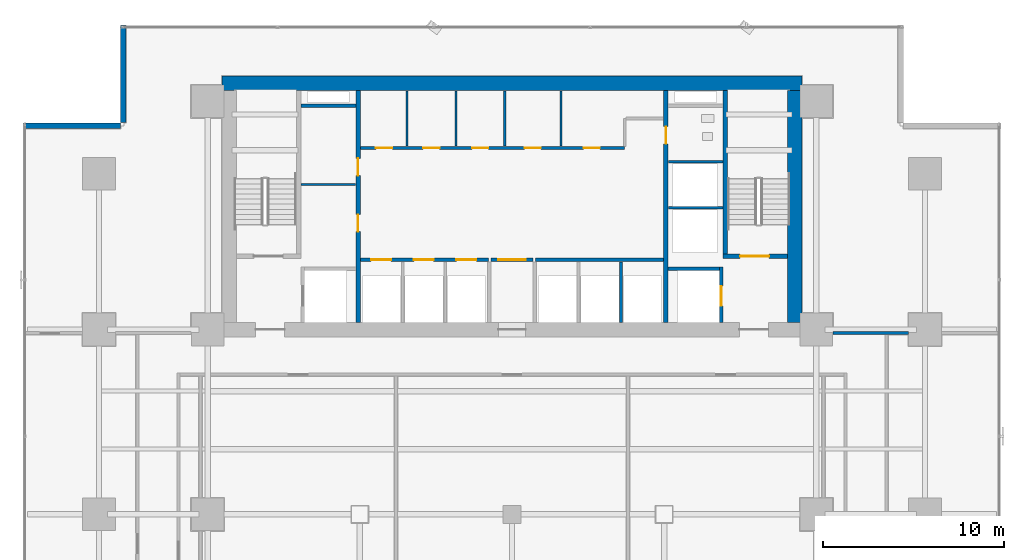
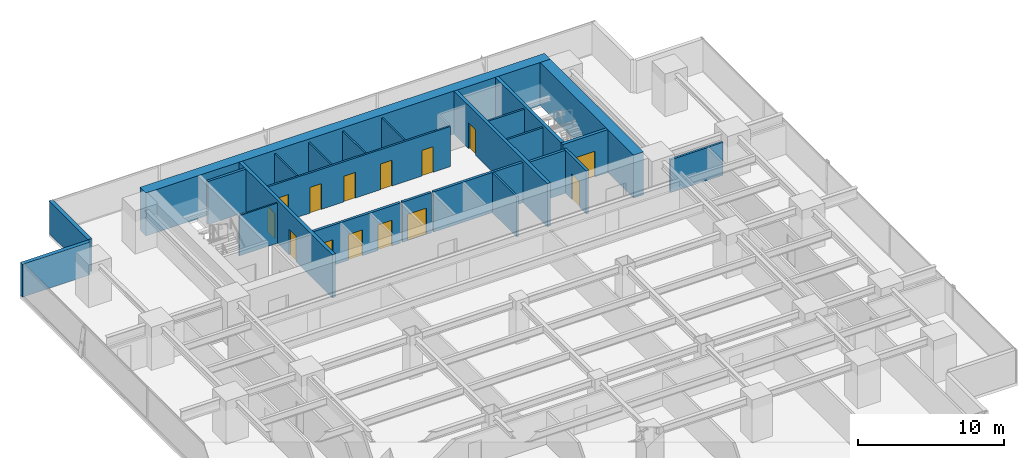
# One storey, part 26 of 33: 24 walls, 14 doors, 14 openings.
"""IFC4 building model written with IfcOpenShell, lengths in metres."""

import ifcopenshell
import ifcopenshell.guid

model = None  # the IFC model being written
_history = None  # IfcOwnerHistory: only IFC2X3 demands one
_inside = {}  # id of a spatial element -> (the spatial element, [elements in it])
_under = {}  # id of a project, library or spatial element -> (it, [spatial elements below it])
_declared = {}  # id of a project -> (the project, [libraries it declares])
_typed = {}  # id of a type object -> (the type object, [elements of that type])
_made_of = {}  # id of a material, layer set ... -> (it, [elements and type objects made of it])


def new_model(schema):
    """Start an empty IFC model of exactly this schema.

    Asked for "IFC4X3", IfcOpenShell would pick the latest addendum, in which some entities
    have other attributes; the version numbers below select the first issue.
    IFC2X3 requires an IfcOwnerHistory on every rooted entity: one is made here for all.
    """
    global model, _history
    if schema == "IFC4X3":
        model = ifcopenshell.file(schema_version=(4, 3, 0, 0))
    else:
        model = ifcopenshell.file(schema=schema)
    _inside.clear()
    _under.clear()
    _declared.clear()
    _typed.clear()
    _made_of.clear()
    _history = None
    if model.schema == "IFC2X3":
        org = make("IfcOrganization", Name="unknown")
        user = make(
            "IfcPersonAndOrganization",
            ThePerson=make("IfcPerson", FamilyName="unknown"),
            TheOrganization=org,
        )
        app = make(
            "IfcApplication",
            ApplicationDeveloper=org,
            Version="unknown",
            ApplicationFullName="unknown",
            ApplicationIdentifier="unknown",
        )
        _history = make(
            "IfcOwnerHistory",
            OwningUser=user,
            OwningApplication=app,
            ChangeAction="ADDED",
            CreationDate=0,
        )
    return model


def make(cls, **values):
    """One entity of the class cls with the attributes given. An attribute that is None is left unset."""
    return model.create_entity(
        cls, **{name: value for name, value in values.items() if value is not None}
    )


def rooted(cls, **values):
    """An entity with a GlobalId (a new one), such as an element, a storey or a relation."""
    return make(cls, GlobalId=ifcopenshell.guid.new(), OwnerHistory=_history, **values)


def si_unit(unit_type, name, prefix=None):
    """IfcSIUnit, for example si_unit("LENGTHUNIT", "METRE", prefix="MILLI")."""
    return make("IfcSIUnit", UnitType=unit_type, Prefix=prefix, Name=name)


def assignment(units):
    """IfcUnitAssignment: the units of a project."""
    return None if units is None else make("IfcUnitAssignment", Units=units)


def point(xyz):
    """IfcCartesianPoint."""
    return None if xyz is None else make("IfcCartesianPoint", Coordinates=xyz)


def direction(xyz):
    """IfcDirection."""
    return None if xyz is None else make("IfcDirection", DirectionRatios=xyz)


def frame(location, z_axis=None, x_axis=None):
    """IfcAxis2Placement3D, a coordinate frame: its origin and axes. An axis left out is left unset."""
    return make(
        "IfcAxis2Placement3D",
        Location=point(location),
        Axis=direction(z_axis),
        RefDirection=direction(x_axis),
    )


def frame_2d(location, x_axis=None):
    """IfcAxis2Placement2D, a coordinate frame in the plane: its origin and x axis."""
    return make(
        "IfcAxis2Placement2D", Location=point(location), RefDirection=direction(x_axis)
    )


def origin():
    """The frame at (0, 0, 0) with its axes left unset."""
    return frame((0.0, 0.0, 0.0))


def place(relative_to, where):
    """IfcLocalPlacement: puts the frame where relative to a parent placement (None: the world)."""
    return make(
        "IfcLocalPlacement", PlacementRelTo=relative_to, RelativePlacement=where
    )


def context(
    kind, dimensions, precision=None, world=None, true_north=None, identifier=None
):
    """IfcGeometricRepresentationContext, for example the 3D "Model" context."""
    return make(
        "IfcGeometricRepresentationContext",
        ContextIdentifier=identifier,
        ContextType=kind,
        CoordinateSpaceDimension=dimensions,
        Precision=precision,
        WorldCoordinateSystem=world,
        TrueNorth=true_north,
    )


def subcontext(parent, identifier, kind, view, scale=None):
    """IfcGeometricRepresentationSubContext, for example "Body" below "Model"."""
    return make(
        "IfcGeometricRepresentationSubContext",
        ContextIdentifier=identifier,
        ContextType=kind,
        ParentContext=parent,
        TargetScale=scale,
        TargetView=view,
    )


def project(units=None, contexts=None):
    """IfcProject with its units and contexts."""
    return rooted(
        "IfcProject",
        Name="project",
        RepresentationContexts=contexts,
        UnitsInContext=assignment(units),
    )


def spatial(cls, under=None, at=None, **own):
    """A site, building, storey or space (cls), placed at a placement, below another one or the project."""
    s = rooted(cls, ObjectPlacement=at, **own)
    if under is not None:
        _under.setdefault(under.id(), (under, []))[1].append(s)
    return s


def profile(cls, at=None, kind="AREA", **sizes):
    """A parametric profile (cls). Its sizes go by their IFC names, for example OverallWidth=200.0."""
    return make(cls, ProfileType=kind, Position=at, **sizes)


def rectangle(**sizes):
    """IfcRectangleProfileDef."""
    return profile("IfcRectangleProfileDef", **sizes)


def extrude(swept, where, along, depth):
    """IfcExtrudedAreaSolid: the profile swept, set in the frame where, extruded along a direction by depth."""
    return make(
        "IfcExtrudedAreaSolid",
        SweptArea=swept,
        Position=where,
        ExtrudedDirection=direction(along),
        Depth=depth,
    )


def shape(context_of_items, identifier, shape_type, items):
    """IfcShapeRepresentation: the items that make up one representation, for example the "Body"."""
    return make(
        "IfcShapeRepresentation",
        ContextOfItems=context_of_items,
        RepresentationIdentifier=identifier,
        RepresentationType=shape_type,
        Items=items,
    )


def source(mapping_origin, context_of_items, identifier, shape_type, items):
    """IfcRepresentationMap: a shape defined once, which mapped items show again and again."""
    return make(
        "IfcRepresentationMap",
        MappingOrigin=mapping_origin,
        MappedRepresentation=shape(context_of_items, identifier, shape_type, items),
    )


def transform(
    local_origin,
    x_axis=None,
    y_axis=None,
    z_axis=None,
    scale=None,
    scale2=None,
    scale3=None,
    uniform=True,
):
    """IfcCartesianTransformationOperator3D, or its non-uniform kind. x_axis, y_axis, z_axis: its Axis1, 2, 3."""
    if uniform:
        return make(
            "IfcCartesianTransformationOperator3D",
            Axis1=direction(x_axis),
            Axis2=direction(y_axis),
            LocalOrigin=point(local_origin),
            Scale=scale,
            Axis3=direction(z_axis),
        )
    return make(
        "IfcCartesianTransformationOperator3DnonUniform",
        Axis1=direction(x_axis),
        Axis2=direction(y_axis),
        LocalOrigin=point(local_origin),
        Scale=scale,
        Axis3=direction(z_axis),
        Scale2=scale2,
        Scale3=scale3,
    )


def mapped(mapping_source, mapping_target):
    """IfcMappedItem: shows the shape of a source again, moved by a transform."""
    return make(
        "IfcMappedItem", MappingSource=mapping_source, MappingTarget=mapping_target
    )


def material(Name=None, Category=None):
    """IfcMaterial."""
    return make("IfcMaterial", Name=Name, Category=Category)


def layer(
    of_material, thickness, ventilated=None, Name=None, Category=None, Priority=None
):
    """IfcMaterialLayer: one layer of a wall or slab, of a material (None: an air gap)."""
    return make(
        "IfcMaterialLayer",
        Material=of_material,
        LayerThickness=thickness,
        IsVentilated=ventilated,
        Name=Name,
        Category=Category,
        Priority=Priority,
    )


def layer_set(layers, Name=None):
    """IfcMaterialLayerSet."""
    return make("IfcMaterialLayerSet", MaterialLayers=layers, LayerSetName=Name)


def made_of(thing, what):
    """Note that an element or type object is made of a material, layer set ...; save() writes the relation."""
    if what is not None:
        _made_of.setdefault(what.id(), (what, []))[1].append(thing)
    return thing


def type_object(cls, material=None, **own):
    """A type object (cls), such as IfcWallType, which elements share."""
    return made_of(rooted(cls, **own), material)


def element(
    cls,
    number,
    at=None,
    inside=None,
    cuts=None,
    type_object=None,
    material=None,
    context=None,
    identifier="Body",
    shape_type=None,
    held_by="IfcProductDefinitionShape",
    body=None,
    shapes=None,
    **own,
):
    """One element of the class cls, such as IfcWall. Its Tag is "e" and its number.

    at: its placement. inside: the storey or other place that contains it. cuts: it is an
    opening in that element (IfcRelVoidsElement). A single representation is given by context,
    identifier, shape_type and body (its items); several are given by shapes. held_by: the class
    of the entity that holds the representations. save() writes the other relations.
    """
    e = rooted(cls, Tag="e%d" % number, ObjectPlacement=at, **own)
    if body is not None:
        shapes = [shape(context, identifier, shape_type, body)]
    if shapes is not None:
        e.Representation = make(held_by, Representations=shapes)
    if inside is not None:
        _inside.setdefault(inside.id(), (inside, []))[1].append(e)
    if cuts is not None:
        rooted(
            "IfcRelVoidsElement", RelatingBuildingElement=cuts, RelatedOpeningElement=e
        )
    if type_object is not None:
        _typed.setdefault(type_object.id(), (type_object, []))[1].append(e)
    return made_of(e, material)


def fill(opening, filler):
    """IfcRelFillsElement: the door or window that sits in an opening."""
    return rooted(
        "IfcRelFillsElement",
        RelatingOpeningElement=opening,
        RelatedBuildingElement=filler,
    )


def aggregate(whole, parts):
    """IfcRelAggregates: a whole, such as a stair, and the parts it consists of."""
    return rooted("IfcRelAggregates", RelatingObject=whole, RelatedObjects=parts)


def save(model, path):
    """Write the relations noted so far, then the file.

    IfcRelAggregates (storeys below a building ...), IfcRelContainedInSpatialStructure (elements
    in a storey), IfcRelDefinesByType, IfcRelAssociatesMaterial and IfcRelDeclares: one each for
    every whole, place, type object, material and project.
    """
    for whole, parts in _under.values():
        aggregate(whole, parts)
    for where, things in _inside.values():
        rooted(
            "IfcRelContainedInSpatialStructure",
            RelatedElements=things,
            RelatingStructure=where,
        )
    for kind, things in _typed.values():
        rooted("IfcRelDefinesByType", RelatedObjects=things, RelatingType=kind)
    for what, things in _made_of.values():
        rooted("IfcRelAssociatesMaterial", RelatedObjects=things, RelatingMaterial=what)
    for by, libraries in _declared.values():
        rooted("IfcRelDeclares", RelatingContext=by, RelatedDefinitions=libraries)
    model.write(path)


model = new_model("IFC4")

# Units and contexts
model_context = context("Model", 3, precision=1e-05, world=origin(), true_north=direction((0.0, 1.0)))
body_context = subcontext(model_context, "Body", "Model", "MODEL_VIEW")
ifc_project = project(units=[si_unit("LENGTHUNIT", "METRE"), si_unit("AREAUNIT", "SQUARE_METRE"), si_unit("VOLUMEUNIT", "CUBIC_METRE"), si_unit("PLANEANGLEUNIT", "RADIAN"), si_unit("MASSUNIT", "GRAM", prefix="KILO")], contexts=[model_context])

# Site, building, storey
site_placement = place(None, origin())
site = spatial("IfcSite", under=ifc_project, at=site_placement, CompositionType="ELEMENT")
building_placement = place(site_placement, origin())
building = spatial("IfcBuilding", under=site, at=building_placement, Name="Sumidabori Civic Tower", CompositionType="ELEMENT")
storey_placement = place(building_placement, frame((0.0, 0.0, 59.60009765625)))
storey = spatial("IfcBuildingStorey", under=building, at=storey_placement, Name="L15", CompositionType="ELEMENT", Elevation=59.60009765625)

# Walls
ifc_material_1 = material(Name="Concrete C60/75", Category="concrete")
ifc_layer_1 = layer(ifc_material_1, 0.800048828125, Name="Concrete C60/75")
ifc_layer_set_1 = layer_set([ifc_layer_1], Name="Concrete C60/75")
wall_type_1 = type_object("IfcWallType", Name="WL-CORE-800", PredefinedType="SHEAR", material=ifc_layer_set_1)
shared_shape_1 = source(origin(), body_context, "Body", "SweptSolid", [
    extrude(rectangle(XDim=32.0, YDim=0.800048828125, at=frame_2d((16.0, 0.0))), origin(), (0.0, 0.0, 1.0), 3.599853515625),
])
wall_1_placement = place(storey_placement, frame((-16.0, 23.800048828125, 0.0), z_axis=(0.0, 0.0, 1.0), x_axis=(1.0, 0.0, 0.0)))
element("IfcWall", 1, at=wall_1_placement, inside=storey, type_object=wall_type_1, Name="Core Shear Wall L15 N", PredefinedType="SHEAR", context=body_context, shape_type="MappedRepresentation", body=[
    mapped(shared_shape_1, transform((0.0, 0.0, 0.0), x_axis=(1.0, 0.0, 0.0), y_axis=(0.0, 1.0, 0.0), z_axis=(0.0, 0.0, 1.0), scale=1.0)),
])
shared_shape_2 = source(origin(), body_context, "Body", "SweptSolid", [
    extrude(rectangle(XDim=12.7998046875, YDim=0.800048828125, at=frame_2d((6.39990234375, 0.0))), origin(), (0.0, 0.0, 1.0), 3.599853515625),
])
wall_2_placement = place(storey_placement, frame((15.60009765625, 10.60009765625, 0.0), z_axis=(0.0, 0.0, 1.0), x_axis=(0.0, 1.0, 0.0)))
element("IfcWall", 2, at=wall_2_placement, inside=storey, type_object=wall_type_1, Name="Core Shear Wall L15 E", PredefinedType="SHEAR", context=body_context, shape_type="MappedRepresentation", body=[
    mapped(shared_shape_2, transform((0.0, 0.0, 0.0), x_axis=(1.0, 0.0, 0.0), y_axis=(0.0, 1.0, 0.0), z_axis=(0.0, 0.0, 1.0), scale=1.0)),
])

# Wall, openings, doors
ifc_material_2 = material(Name="Concrete C50/60", Category="concrete")
ifc_layer_2 = layer(ifc_material_2, 0.25, Name="Concrete C50/60")
ifc_layer_set_2 = layer_set([ifc_layer_2], Name="Concrete C50/60")
wall_type_2 = type_object("IfcWallType", Name="WL-SHAFT-250", PredefinedType="SHEAR", material=ifc_layer_set_2)
shared_shape_3 = source(origin(), body_context, "Body", "SweptSolid", [
    extrude(rectangle(XDim=12.7998046875, YDim=0.25, at=frame_2d((6.39990234375, 0.0))), origin(), (0.0, 0.0, 1.0), 3.599853515625),
])
wall_3_placement = place(storey_placement, frame((-8.5, 10.60009765625, 0.0), z_axis=(0.0, 0.0, 1.0), x_axis=(0.0, 1.0, 0.0)))
wall_3 = element("IfcWall", 3, at=wall_3_placement, inside=storey, type_object=wall_type_2, Name="Core Shear Wall L15 WEB-W", PredefinedType="SHEAR", context=body_context, shape_type="MappedRepresentation", body=[
    mapped(shared_shape_3, transform((0.0, 0.0, 0.0), x_axis=(1.0, 0.0, 0.0), y_axis=(0.0, 1.0, 0.0), z_axis=(0.0, 0.0, 1.0), scale=1.0)),
])
opening_1_placement = place(wall_3_placement, frame((5.0, 0.0, 0.0)))
opening_1 = element("IfcOpeningElement", 4, at=opening_1_placement, cuts=wall_3, Name="Opening DR-FD2", PredefinedType="OPENING", context=body_context, shape_type="SweptSolid", body=[
    extrude(rectangle(XDim=0.949951171875, YDim=2.14990234375, at=frame_2d((0.47509765625, 1.074951171875))), frame((0.0, 0.136962890625, 0.0), z_axis=(0.0, -1.0, 0.0), x_axis=(1.0, 0.0, 0.0)), (0.0, 0.0, 1.0), 0.27392578125),
])
opening_2_placement = place(wall_3_placement, frame((8.10009765625, 0.0, 0.0)))
opening_2 = element("IfcOpeningElement", 5, at=opening_2_placement, cuts=wall_3, Name="Opening DR-FD2", PredefinedType="OPENING", context=body_context, shape_type="SweptSolid", body=[
    extrude(rectangle(XDim=0.949951171875, YDim=2.14990234375, at=frame_2d((0.47509765625, 1.074951171875))), frame((0.0, 0.136962890625, 0.0), z_axis=(0.0, -1.0, 0.0), x_axis=(1.0, 0.0, 0.0)), (0.0, 0.0, 1.0), 0.27392578125),
])
ifc_material_3 = material(Name="Steel SN490", Category="steel")
door_type_1 = type_object("IfcDoorType", Name="DR-FD2", OperationType="NOTDEFINED", PredefinedType="DOOR", material=ifc_material_3)
shared_shape_4 = source(origin(), body_context, "Body", "SweptSolid", [
    extrude(rectangle(XDim=0.949951171875, YDim=2.14990234375, at=frame_2d((0.47509765625, 1.074951171875))), frame((0.0, 0.02490234375, 0.0), z_axis=(0.0, -1.0, 0.0), x_axis=(1.0, 0.0, 0.0)), (0.0, 0.0, 1.0), 0.050048828125),
])
door_1_placement = place(opening_1_placement, origin())
door_1 = element("IfcDoor", 6, at=door_1_placement, inside=storey, type_object=door_type_1, Name="Door DR:L15:CW-S1", OperationType="SINGLE_SWING_LEFT", OverallHeight=2.14990234375, OverallWidth=0.949951171875, PredefinedType="DOOR", context=body_context, shape_type="MappedRepresentation", body=[
    mapped(shared_shape_4, transform((0.0, 0.0, 0.0), x_axis=(1.0, 0.0, 0.0), y_axis=(0.0, 1.0, 0.0), z_axis=(0.0, 0.0, 1.0), scale=1.0)),
])
fill(opening_1, door_1)
door_2_placement = place(opening_2_placement, origin())
door_2 = element("IfcDoor", 7, at=door_2_placement, inside=storey, type_object=door_type_1, Name="Door DR:L15:CW-S2", OperationType="SINGLE_SWING_RIGHT", OverallHeight=2.14990234375, OverallWidth=0.949951171875, PredefinedType="DOOR", context=body_context, shape_type="MappedRepresentation", body=[
    mapped(shared_shape_4, transform((0.0, 0.0, 0.0), x_axis=(1.0, 0.0, 0.0), y_axis=(0.0, 1.0, 0.0), z_axis=(0.0, 0.0, 1.0), scale=1.0)),
])
fill(opening_2, door_2)

# Wall, opening, door
wall_4_placement = place(storey_placement, frame((8.5, 10.60009765625, 0.0), z_axis=(0.0, 0.0, 1.0), x_axis=(0.0, 1.0, 0.0)))
wall_4 = element("IfcWall", 8, at=wall_4_placement, inside=storey, type_object=wall_type_2, Name="Core Shear Wall L15 WEB-E", PredefinedType="SHEAR", context=body_context, shape_type="MappedRepresentation", body=[
    mapped(shared_shape_3, transform((0.0, 0.0, 0.0), x_axis=(1.0, 0.0, 0.0), y_axis=(0.0, 1.0, 0.0), z_axis=(0.0, 0.0, 1.0), scale=1.0)),
])
opening_3_placement = place(wall_4_placement, frame((9.85009765625, 0.0, 0.0)))
opening_3 = element("IfcOpeningElement", 9, at=opening_3_placement, cuts=wall_4, Name="Opening DR-2", PredefinedType="OPENING", context=body_context, shape_type="SweptSolid", body=[
    extrude(rectangle(XDim=0.949951171875, YDim=2.14990234375, at=frame_2d((0.47509765625, 1.074951171875))), frame((0.0, 0.136962890625, 0.0), z_axis=(0.0, -1.0, 0.0), x_axis=(1.0, 0.0, 0.0)), (0.0, 0.0, 1.0), 0.27392578125),
])
ifc_material_4 = material(Name="Japanese Hinoki Timber", Category="wood")
door_type_2 = type_object("IfcDoorType", Name="DR-INT-950", OperationType="NOTDEFINED", PredefinedType="DOOR", material=ifc_material_4)
shared_shape_5 = source(origin(), body_context, "Body", "SweptSolid", [
    extrude(rectangle(XDim=0.949951171875, YDim=2.14990234375, at=frame_2d((0.47509765625, 1.074951171875))), frame((0.0, 0.02490234375, 0.0), z_axis=(0.0, -1.0, 0.0), x_axis=(1.0, 0.0, 0.0)), (0.0, 0.0, 1.0), 0.050048828125),
])
door_3_placement = place(opening_3_placement, origin())
door_3 = element("IfcDoor", 10, at=door_3_placement, inside=storey, type_object=door_type_2, Name="Door DR:L15:WC-ACC", OperationType="SINGLE_SWING_RIGHT", OverallHeight=2.14990234375, OverallWidth=0.949951171875, PredefinedType="DOOR", context=body_context, shape_type="MappedRepresentation", body=[
    mapped(shared_shape_5, transform((0.0, 0.0, 0.0), x_axis=(1.0, 0.0, 0.0), y_axis=(0.0, 1.0, 0.0), z_axis=(0.0, 0.0, 1.0), scale=1.0)),
])
fill(opening_3, door_3)

shared_shape_6 = source(origin(), body_context, "Body", "SweptSolid", [
    extrude(rectangle(XDim=3.554931640625, YDim=0.25, at=frame_2d((1.77734375, 0.0))), origin(), (0.0, 0.0, 1.0), 3.599853515625),
])
wall_5_placement = place(storey_placement, frame((11.64501953125, 14.25, 0.0), z_axis=(0.0, 0.0, 1.0), x_axis=(1.0, 0.0, 0.0)))
wall_5 = element("IfcWall", 11, at=wall_5_placement, inside=storey, type_object=wall_type_2, Name="Core Shear Wall L15 ST2-S", PredefinedType="SHEAR", context=body_context, shape_type="MappedRepresentation", body=[
    mapped(shared_shape_6, transform((0.0, 0.0, 0.0), x_axis=(1.0, 0.0, 0.0), y_axis=(0.0, 1.0, 0.0), z_axis=(0.0, 0.0, 1.0), scale=1.0)),
])
opening_4_placement = place(wall_5_placement, frame((0.949951171875, 0.0, 0.0)))
opening_4 = element("IfcOpeningElement", 12, at=opening_4_placement, cuts=wall_5, Name="Opening DR-FD4", PredefinedType="OPENING", context=body_context, shape_type="SweptSolid", body=[
    extrude(rectangle(XDim=1.60009765625, YDim=2.14990234375, at=frame_2d((0.800048828125, 1.074951171875))), frame((0.0, 0.136962890625, 0.0), z_axis=(0.0, -1.0, 0.0), x_axis=(1.0, 0.0, 0.0)), (0.0, 0.0, 1.0), 0.27392578125),
])
door_type_3 = type_object("IfcDoorType", Name="DR-FD4", OperationType="DOUBLE_DOOR_SINGLE_SWING", PredefinedType="DOOR", material=ifc_material_3)
shared_shape_7 = source(origin(), body_context, "Body", "SweptSolid", [
    extrude(rectangle(XDim=1.60009765625, YDim=2.14990234375, at=frame_2d((0.800048828125, 1.074951171875))), frame((0.0, 0.02490234375, 0.0), z_axis=(0.0, -1.0, 0.0), x_axis=(1.0, 0.0, 0.0)), (0.0, 0.0, 1.0), 0.050048828125),
])
door_4_placement = place(opening_4_placement, origin())
door_4 = element("IfcDoor", 13, at=door_4_placement, inside=storey, type_object=door_type_3, Name="Door DR:L15:ST2", OperationType="DOUBLE_DOOR_SINGLE_SWING", OverallHeight=2.14990234375, OverallWidth=1.60009765625, PredefinedType="DOOR", context=body_context, shape_type="MappedRepresentation", body=[
    mapped(shared_shape_7, transform((0.0, 0.0, 0.0), x_axis=(1.0, 0.0, 0.0), y_axis=(0.0, 1.0, 0.0), z_axis=(0.0, 0.0, 1.0), scale=1.0)),
])
fill(opening_4, door_4)

# Wall
shared_shape_8 = source(origin(), body_context, "Body", "SweptSolid", [
    extrude(rectangle(XDim=9.02490234375, YDim=0.25, at=frame_2d((4.512451171875, 0.0))), origin(), (0.0, 0.0, 1.0), 3.599853515625),
])
wall_6_placement = place(storey_placement, frame((11.77001953125, 14.375, 0.0), z_axis=(0.0, 0.0, 1.0), x_axis=(0.0, 1.0, 0.0)))
element("IfcWall", 14, at=wall_6_placement, inside=storey, type_object=wall_type_2, Name="Core Shear Wall L15 ST2-W", PredefinedType="SHEAR", context=body_context, shape_type="MappedRepresentation", body=[
    mapped(shared_shape_8, transform((0.0, 0.0, 0.0), x_axis=(1.0, 0.0, 0.0), y_axis=(0.0, 1.0, 0.0), z_axis=(0.0, 0.0, 1.0), scale=1.0)),
])

# Wall, opening, door
ifc_layer_3 = layer(ifc_material_2, 0.199951171875, Name="Concrete C50/60")
ifc_layer_set_3 = layer_set([ifc_layer_3], Name="Concrete C50/60")
wall_type_3 = type_object("IfcWallType", Name="WL-SHAFT-200", PredefinedType="SHEAR", material=ifc_layer_set_3)
shared_shape_9 = source(origin(), body_context, "Body", "SweptSolid", [
    extrude(rectangle(XDim=3.0498046875, YDim=0.199951171875, at=frame_2d((1.52490234375, 0.0))), origin(), (0.0, 0.0, 1.0), 3.599853515625),
])
wall_7_placement = place(storey_placement, frame((11.550048828125, 10.60009765625, 0.0), z_axis=(0.0, 0.0, 1.0), x_axis=(0.0, 1.0, 0.0)))
wall_7 = element("IfcWall", 15, at=wall_7_placement, inside=storey, type_object=wall_type_3, Name="Core Shear Wall L15 EL2-E", PredefinedType="SHEAR", context=body_context, shape_type="MappedRepresentation", body=[
    mapped(shared_shape_9, transform((0.0, 0.0, 0.0), x_axis=(1.0, 0.0, 0.0), y_axis=(0.0, 1.0, 0.0), z_axis=(0.0, 0.0, 1.0), scale=1.0)),
])
opening_5_placement = place(wall_7_placement, frame((0.89990234375, 0.0, 0.0)))
opening_5 = element("IfcOpeningElement", 16, at=opening_5_placement, cuts=wall_7, Name="Opening LD-2", PredefinedType="OPENING", context=body_context, shape_type="SweptSolid", body=[
    extrude(rectangle(XDim=1.10009765625, YDim=2.14990234375, at=frame_2d((0.550048828125, 1.074951171875))), frame((0.0, 0.11181640625, 0.0), z_axis=(0.0, -1.0, 0.0), x_axis=(1.0, 0.0, 0.0)), (0.0, 0.0, 1.0), 0.223876953125),
])
ifc_material_5 = material(Name="Stainless Steel Hairline Finish", Category="steel")
door_type_4 = type_object("IfcDoorType", Name="DR-LD2", OperationType="DOUBLE_DOOR_SLIDING", PredefinedType="DOOR", material=ifc_material_5)
shared_shape_10 = source(origin(), body_context, "Body", "SweptSolid", [
    extrude(rectangle(XDim=1.10009765625, YDim=2.14990234375, at=frame_2d((0.550048828125, 1.074951171875))), frame((0.0, 0.02490234375, 0.0), z_axis=(0.0, -1.0, 0.0), x_axis=(1.0, 0.0, 0.0)), (0.0, 0.0, 1.0), 0.050048828125),
])
door_5_placement = place(opening_5_placement, origin())
door_5 = element("IfcDoor", 17, at=door_5_placement, inside=storey, type_object=door_type_4, Name="Door DR:L15:LD-EL2", OperationType="DOUBLE_DOOR_SLIDING", OverallHeight=2.14990234375, OverallWidth=1.10009765625, PredefinedType="DOOR", context=body_context, shape_type="MappedRepresentation", body=[
    mapped(shared_shape_10, transform((0.0, 0.0, 0.0), x_axis=(1.0, 0.0, 0.0), y_axis=(0.0, 1.0, 0.0), z_axis=(0.0, 0.0, 1.0), scale=1.0)),
])
fill(opening_5, door_5)

# Walls
shared_shape_11 = source(origin(), body_context, "Body", "SweptSolid", [
    extrude(rectangle(XDim=2.824951171875, YDim=0.199951171875, at=frame_2d((1.41259765625, 0.0))), origin(), (0.0, 0.0, 1.0), 3.599853515625),
])
wall_8_placement = place(storey_placement, frame((8.625, 13.550048828125, 0.0), z_axis=(0.0, 0.0, 1.0), x_axis=(1.0, 0.0, 0.0)))
element("IfcWall", 18, at=wall_8_placement, inside=storey, type_object=wall_type_3, Name="Core Shear Wall L15 EL2-N", PredefinedType="SHEAR", context=body_context, shape_type="MappedRepresentation", body=[
    mapped(shared_shape_11, transform((0.0, 0.0, 0.0), x_axis=(1.0, 0.0, 0.0), y_axis=(0.0, 1.0, 0.0), z_axis=(0.0, 0.0, 1.0), scale=1.0)),
])
shared_shape_12 = source(origin(), body_context, "Body", "SweptSolid", [
    extrude(rectangle(XDim=3.02001953125, YDim=0.199951171875, at=frame_2d((1.510009765625, 0.0))), origin(), (0.0, 0.0, 1.0), 3.599853515625),
])
wall_9_placement = place(storey_placement, frame((-11.64501953125, 22.550048828125, 0.0), z_axis=(0.0, 0.0, 1.0), x_axis=(1.0, 0.0, 0.0)))
element("IfcWall", 19, at=wall_9_placement, inside=storey, type_object=wall_type_3, Name="Core Shear Wall L15 RIS1-S", PredefinedType="SHEAR", context=body_context, shape_type="MappedRepresentation", body=[
    mapped(shared_shape_12, transform((0.0, 0.0, 0.0), x_axis=(1.0, 0.0, 0.0), y_axis=(0.0, 1.0, 0.0), z_axis=(0.0, 0.0, 1.0), scale=1.0)),
])
ifc_material_6 = material(Name="Precast concrete C40/50", Category="concrete")
ifc_layer_4 = layer(ifc_material_6, 0.300048828125, Name="Precast concrete C40/50")
ifc_layer_set_4 = layer_set([ifc_layer_4], Name="Precast concrete C40/50")
wall_type_4 = type_object("IfcWallType", Name="WL-EXT-POD300", PredefinedType="STANDARD", material=ifc_layer_set_4)
shared_shape_13 = source(origin(), body_context, "Body", "SweptSolid", [
    extrude(rectangle(XDim=5.35986328125, YDim=0.300048828125, at=frame_2d((2.679931640625, 0.0))), origin(), (0.0, 0.0, 1.0), 2.739990234375),
])
for number, where, z_axis, x_axis, name in (
    (20, (-21.449951171875, 26.97998046875, 0.0), (0.0, 0.0, 1.0), (0.0, -1.0, 0.0), "Notched Corner Spandrel Band L15-08"),
    (21, (-21.6201171875, 21.449951171875, 0.0), (0.0, 0.0, 1.0), (-1.0, 0.0, 0.0), "Notched Corner Spandrel Band L15-09"),
):
    element("IfcWall", number, at=place(storey_placement, frame(where, z_axis=z_axis, x_axis=x_axis)), inside=storey, type_object=wall_type_4, Name=name, PredefinedType="STANDARD", context=body_context, shape_type="MappedRepresentation", body=[
        mapped(shared_shape_13, transform((0.0, 0.0, 0.0), x_axis=(1.0, 0.0, 0.0), y_axis=(0.0, 1.0, 0.0), z_axis=(0.0, 0.0, 1.0), scale=1.0)),
    ])
ifc_material_7 = material(Name="Gypsum Plasterboard Acoustic Partition")
ifc_layer_5 = layer(ifc_material_7, 0.14990234375, Name="Gypsum Plasterboard Acoustic Partition")
ifc_layer_set_5 = layer_set([ifc_layer_5], Name="Gypsum Plasterboard Acoustic Partition")
wall_type_5 = type_object("IfcWallType", Name="WL-PART-150", PredefinedType="PARTITIONING", material=ifc_layer_set_5)
shared_shape_14 = source(origin(), body_context, "Body", "SweptSolid", [
    extrude(rectangle(XDim=3.010009765625, YDim=0.14990234375, at=frame_2d((1.5048828125, 0.0))), origin(), (0.0, 0.0, 1.0), 3.35986328125),
])
for number, where, z_axis, x_axis, name in (
    (22, (8.6298828125, 16.919921875, 0.0), (0.0, 0.0, 1.0), (1.0, 0.0, 0.0), "Interior Partition WL:L15:DIV-OBS1"),
    (23, (8.6298828125, 19.469970703125, 0.0), (0.0, 0.0, 1.0), (1.0, 0.0, 0.0), "Interior Partition WL:L15:DIV-OBS2"),
):
    element("IfcWall", number, at=place(storey_placement, frame(where, z_axis=z_axis, x_axis=x_axis)), inside=storey, type_object=wall_type_5, Name=name, PredefinedType="PARTITIONING", context=body_context, shape_type="MappedRepresentation", body=[
        mapped(shared_shape_14, transform((0.0, 0.0, 0.0), x_axis=(1.0, 0.0, 0.0), y_axis=(0.0, 1.0, 0.0), z_axis=(0.0, 0.0, 1.0), scale=1.0)),
    ])

# Wall, openings, doors
ifc_material_8 = material(Name="Gypsum Plasterboard Fire Partition")
ifc_layer_6 = layer(ifc_material_8, 0.199951171875, Name="Gypsum Plasterboard Fire Partition")
ifc_layer_set_6 = layer_set([ifc_layer_6], Name="Gypsum Plasterboard Fire Partition")
wall_type_6 = type_object("IfcWallType", Name="WL-PART-FIRE", PredefinedType="PARTITIONING", material=ifc_layer_set_6)
shared_shape_15 = source(origin(), body_context, "Body", "SweptSolid", [
    extrude(rectangle(XDim=7.070068359375, YDim=0.199951171875, at=frame_2d((3.53515625, 0.0))), origin(), (0.0, 0.0, 1.0), 3.35986328125),
])
wall_10_placement = place(storey_placement, frame((-8.3701171875, 14.050048828125, 0.0), z_axis=(0.0, 0.0, 1.0), x_axis=(1.0, 0.0, 0.0)))
wall_10 = element("IfcWall", 24, at=wall_10_placement, inside=storey, type_object=wall_type_6, Name="Interior Partition WL:L15:CBAND-SW", PredefinedType="PARTITIONING", context=body_context, shape_type="MappedRepresentation", body=[
    mapped(shared_shape_15, transform((0.0, 0.0, 0.0), x_axis=(1.0, 0.0, 0.0), y_axis=(0.0, 1.0, 0.0), z_axis=(0.0, 0.0, 1.0), scale=1.0)),
])
opening_6_placement = place(wall_10_placement, frame((0.60009765625, 0.0, 0.0)))
opening_6 = element("IfcOpeningElement", 25, at=opening_6_placement, cuts=wall_10, Name="Opening LD-1", PredefinedType="OPENING", context=body_context, shape_type="SweptSolid", body=[
    extrude(rectangle(XDim=1.10009765625, YDim=2.14990234375, at=frame_2d((0.550048828125, 1.074951171875))), frame((0.0, 0.11181640625, 0.0), z_axis=(0.0, -1.0, 0.0), x_axis=(1.0, 0.0, 0.0)), (0.0, 0.0, 1.0), 0.223876953125),
])
opening_7_placement = place(wall_10_placement, frame((2.949951171875, 0.0, 0.0)))
opening_7 = element("IfcOpeningElement", 26, at=opening_7_placement, cuts=wall_10, Name="Opening LD-1", PredefinedType="OPENING", context=body_context, shape_type="SweptSolid", body=[
    extrude(rectangle(XDim=1.10009765625, YDim=2.14990234375, at=frame_2d((0.550048828125, 1.074951171875))), frame((0.0, 0.11181640625, 0.0), z_axis=(0.0, -1.0, 0.0), x_axis=(1.0, 0.0, 0.0)), (0.0, 0.0, 1.0), 0.223876953125),
])
opening_8_placement = place(wall_10_placement, frame((5.300048828125, 0.0, 0.0)))
opening_8 = element("IfcOpeningElement", 27, at=opening_8_placement, cuts=wall_10, Name="Opening LD-1", PredefinedType="OPENING", context=body_context, shape_type="SweptSolid", body=[
    extrude(rectangle(XDim=1.10009765625, YDim=2.14990234375, at=frame_2d((0.550048828125, 1.074951171875))), frame((0.0, 0.11181640625, 0.0), z_axis=(0.0, -1.0, 0.0), x_axis=(1.0, 0.0, 0.0)), (0.0, 0.0, 1.0), 0.223876953125),
])
door_type_5 = type_object("IfcDoorType", Name="DR-LD1", OperationType="DOUBLE_DOOR_SLIDING", PredefinedType="DOOR", material=ifc_material_5)
door_6_placement = place(opening_6_placement, origin())
door_6 = element("IfcDoor", 28, at=door_6_placement, inside=storey, type_object=door_type_5, Name="Door DR:L15:LD-PLL1", OperationType="DOUBLE_DOOR_SLIDING", OverallHeight=2.14990234375, OverallWidth=1.10009765625, PredefinedType="DOOR", context=body_context, shape_type="MappedRepresentation", body=[
    mapped(shared_shape_10, transform((0.0, 0.0, 0.0), x_axis=(1.0, 0.0, 0.0), y_axis=(0.0, 1.0, 0.0), z_axis=(0.0, 0.0, 1.0), scale=1.0)),
])
fill(opening_6, door_6)
door_7_placement = place(opening_7_placement, origin())
door_7 = element("IfcDoor", 29, at=door_7_placement, inside=storey, type_object=door_type_5, Name="Door DR:L15:LD-PLL2", OperationType="DOUBLE_DOOR_SLIDING", OverallHeight=2.14990234375, OverallWidth=1.10009765625, PredefinedType="DOOR", context=body_context, shape_type="MappedRepresentation", body=[
    mapped(shared_shape_10, transform((0.0, 0.0, 0.0), x_axis=(1.0, 0.0, 0.0), y_axis=(0.0, 1.0, 0.0), z_axis=(0.0, 0.0, 1.0), scale=1.0)),
])
fill(opening_7, door_7)
door_8_placement = place(opening_8_placement, origin())
door_8 = element("IfcDoor", 30, at=door_8_placement, inside=storey, type_object=door_type_5, Name="Door DR:L15:LD-PLL3", OperationType="DOUBLE_DOOR_SLIDING", OverallHeight=2.14990234375, OverallWidth=1.10009765625, PredefinedType="DOOR", context=body_context, shape_type="MappedRepresentation", body=[
    mapped(shared_shape_10, transform((0.0, 0.0, 0.0), x_axis=(1.0, 0.0, 0.0), y_axis=(0.0, 1.0, 0.0), z_axis=(0.0, 0.0, 1.0), scale=1.0)),
])
fill(opening_8, door_8)

# Wall
wall_11_placement = place(storey_placement, frame((1.300048828125, 14.050048828125, 0.0), z_axis=(0.0, 0.0, 1.0), x_axis=(1.0, 0.0, 0.0)))
element("IfcWall", 31, at=wall_11_placement, inside=storey, type_object=wall_type_6, Name="Interior Partition WL:L15:CBAND-SE", PredefinedType="PARTITIONING", context=body_context, shape_type="MappedRepresentation", body=[
    mapped(shared_shape_15, transform((0.0, 0.0, 0.0), x_axis=(1.0, 0.0, 0.0), y_axis=(0.0, 1.0, 0.0), z_axis=(0.0, 0.0, 1.0), scale=1.0)),
])

# Wall, opening, door
shared_shape_16 = source(origin(), body_context, "Body", "SweptSolid", [
    extrude(rectangle(XDim=2.2998046875, YDim=0.199951171875, at=frame_2d((1.14990234375, 0.0))), origin(), (0.0, 0.0, 1.0), 3.35986328125),
])
wall_12_placement = place(storey_placement, frame((-1.14990234375, 14.050048828125, 0.0), z_axis=(0.0, 0.0, 1.0), x_axis=(1.0, 0.0, 0.0)))
wall_12 = element("IfcWall", 32, at=wall_12_placement, inside=storey, type_object=wall_type_6, Name="Interior Partition WL:L15:THROAT-N", PredefinedType="PARTITIONING", context=body_context, shape_type="MappedRepresentation", body=[
    mapped(shared_shape_16, transform((0.0, 0.0, 0.0), x_axis=(1.0, 0.0, 0.0), y_axis=(0.0, 1.0, 0.0), z_axis=(0.0, 0.0, 1.0), scale=1.0)),
])
opening_9_placement = place(wall_12_placement, frame((0.39990234375, 0.0, 0.0)))
opening_9 = element("IfcOpeningElement", 33, at=opening_9_placement, cuts=wall_12, Name="Opening DR-FD3", PredefinedType="OPENING", context=body_context, shape_type="SweptSolid", body=[
    extrude(rectangle(XDim=1.5, YDim=2.199951171875, at=frame_2d((0.75, 1.10009765625))), frame((0.0, 0.11181640625, 0.0), z_axis=(0.0, -1.0, 0.0), x_axis=(1.0, 0.0, 0.0)), (0.0, 0.0, 1.0), 0.223876953125),
])
door_type_6 = type_object("IfcDoorType", Name="DR-FD-DBL", OperationType="DOUBLE_DOOR_SINGLE_SWING", PredefinedType="DOOR", material=ifc_material_3)
shared_shape_17 = source(origin(), body_context, "Body", "SweptSolid", [
    extrude(rectangle(XDim=1.5, YDim=2.199951171875, at=frame_2d((0.75, 1.10009765625))), frame((0.0, 0.02490234375, 0.0), z_axis=(0.0, -1.0, 0.0), x_axis=(1.0, 0.0, 0.0)), (0.0, 0.0, 1.0), 0.050048828125),
])
door_9_placement = place(opening_9_placement, origin())
door_9 = element("IfcDoor", 34, at=door_9_placement, inside=storey, type_object=door_type_6, Name="Door DR:L15:THROAT-IN", OperationType="DOUBLE_DOOR_SINGLE_SWING", OverallHeight=2.199951171875, OverallWidth=1.5, PredefinedType="DOOR", context=body_context, shape_type="MappedRepresentation", body=[
    mapped(shared_shape_17, transform((0.0, 0.0, 0.0), x_axis=(1.0, 0.0, 0.0), y_axis=(0.0, 1.0, 0.0), z_axis=(0.0, 0.0, 1.0), scale=1.0)),
])
fill(opening_9, door_9)

# Wall, openings, doors
shared_shape_18 = source(origin(), body_context, "Body", "SweptSolid", [
    extrude(rectangle(XDim=14.590087890625, YDim=0.14990234375, at=frame_2d((7.294921875, 0.0))), origin(), (0.0, 0.0, 1.0), 3.35986328125),
])
wall_13_placement = place(storey_placement, frame((-8.3701171875, 20.219970703125, 0.0), z_axis=(0.0, 0.0, 1.0), x_axis=(1.0, 0.0, 0.0)))
wall_13 = element("IfcWall", 35, at=wall_13_placement, inside=storey, type_object=wall_type_5, Name="Interior Partition WL:L15:CBAND-M", PredefinedType="PARTITIONING", context=body_context, shape_type="MappedRepresentation", body=[
    mapped(shared_shape_18, transform((0.0, 0.0, 0.0), x_axis=(1.0, 0.0, 0.0), y_axis=(0.0, 1.0, 0.0), z_axis=(0.0, 0.0, 1.0), scale=1.0)),
])
opening_10_placement = place(wall_13_placement, frame((0.860107421875, 0.0, 0.0)))
opening_10 = element("IfcOpeningElement", 36, at=opening_10_placement, cuts=wall_13, Name="Opening DR-1", PredefinedType="OPENING", context=body_context, shape_type="SweptSolid", body=[
    extrude(rectangle(XDim=0.89990234375, YDim=2.14990234375, at=frame_2d((0.449951171875, 1.074951171875))), frame((0.0, 0.0869140625, 0.0), z_axis=(0.0, -1.0, 0.0), x_axis=(1.0, 0.0, 0.0)), (0.0, 0.0, 1.0), 0.173828125),
])
opening_11_placement = place(wall_13_placement, frame((3.469970703125, 0.0, 0.0)))
opening_11 = element("IfcOpeningElement", 37, at=opening_11_placement, cuts=wall_13, Name="Opening DR-1", PredefinedType="OPENING", context=body_context, shape_type="SweptSolid", body=[
    extrude(rectangle(XDim=0.89990234375, YDim=2.14990234375, at=frame_2d((0.449951171875, 1.074951171875))), frame((0.0, 0.0869140625, 0.0), z_axis=(0.0, -1.0, 0.0), x_axis=(1.0, 0.0, 0.0)), (0.0, 0.0, 1.0), 0.173828125),
])
opening_12_placement = place(wall_13_placement, frame((6.169921875, 0.0, 0.0)))
opening_12 = element("IfcOpeningElement", 38, at=opening_12_placement, cuts=wall_13, Name="Opening DR-1", PredefinedType="OPENING", context=body_context, shape_type="SweptSolid", body=[
    extrude(rectangle(XDim=0.89990234375, YDim=2.14990234375, at=frame_2d((0.449951171875, 1.074951171875))), frame((0.0, 0.0869140625, 0.0), z_axis=(0.0, -1.0, 0.0), x_axis=(1.0, 0.0, 0.0)), (0.0, 0.0, 1.0), 0.173828125),
])
opening_13_placement = place(wall_13_placement, frame((9.070068359375, 0.0, 0.0)))
opening_13 = element("IfcOpeningElement", 39, at=opening_13_placement, cuts=wall_13, Name="Opening DR-1", PredefinedType="OPENING", context=body_context, shape_type="SweptSolid", body=[
    extrude(rectangle(XDim=0.89990234375, YDim=2.14990234375, at=frame_2d((0.449951171875, 1.074951171875))), frame((0.0, 0.0869140625, 0.0), z_axis=(0.0, -1.0, 0.0), x_axis=(1.0, 0.0, 0.0)), (0.0, 0.0, 1.0), 0.173828125),
])
opening_14_placement = place(wall_13_placement, frame((12.320068359375, 0.0, 0.0)))
opening_14 = element("IfcOpeningElement", 40, at=opening_14_placement, cuts=wall_13, Name="Opening DR-1", PredefinedType="OPENING", context=body_context, shape_type="SweptSolid", body=[
    extrude(rectangle(XDim=0.89990234375, YDim=2.14990234375, at=frame_2d((0.449951171875, 1.074951171875))), frame((0.0, 0.0869140625, 0.0), z_axis=(0.0, -1.0, 0.0), x_axis=(1.0, 0.0, 0.0)), (0.0, 0.0, 1.0), 0.173828125),
])
door_type_7 = type_object("IfcDoorType", Name="DR-INT-900", OperationType="NOTDEFINED", PredefinedType="DOOR", material=ifc_material_4)
shared_shape_19 = source(origin(), body_context, "Body", "SweptSolid", [
    extrude(rectangle(XDim=0.89990234375, YDim=2.14990234375, at=frame_2d((0.449951171875, 1.074951171875))), frame((0.0, 0.02490234375, 0.0), z_axis=(0.0, -1.0, 0.0), x_axis=(1.0, 0.0, 0.0)), (0.0, 0.0, 1.0), 0.050048828125),
])
door_10_placement = place(opening_10_placement, origin())
door_10 = element("IfcDoor", 41, at=door_10_placement, inside=storey, type_object=door_type_7, Name="Door DR:L15:CB-1", OperationType="SINGLE_SWING_LEFT", OverallHeight=2.14990234375, OverallWidth=0.89990234375, PredefinedType="DOOR", context=body_context, shape_type="MappedRepresentation", body=[
    mapped(shared_shape_19, transform((0.0, 0.0, 0.0), x_axis=(1.0, 0.0, 0.0), y_axis=(0.0, 1.0, 0.0), z_axis=(0.0, 0.0, 1.0), scale=1.0)),
])
fill(opening_10, door_10)
door_11_placement = place(opening_11_placement, origin())
door_11 = element("IfcDoor", 42, at=door_11_placement, inside=storey, type_object=door_type_7, Name="Door DR:L15:CB-2", OperationType="SINGLE_SWING_RIGHT", OverallHeight=2.14990234375, OverallWidth=0.89990234375, PredefinedType="DOOR", context=body_context, shape_type="MappedRepresentation", body=[
    mapped(shared_shape_19, transform((0.0, 0.0, 0.0), x_axis=(1.0, 0.0, 0.0), y_axis=(0.0, 1.0, 0.0), z_axis=(0.0, 0.0, 1.0), scale=1.0)),
])
fill(opening_11, door_11)
door_12_placement = place(opening_12_placement, origin())
door_12 = element("IfcDoor", 43, at=door_12_placement, inside=storey, type_object=door_type_7, Name="Door DR:L15:CB-3", OperationType="SINGLE_SWING_LEFT", OverallHeight=2.14990234375, OverallWidth=0.89990234375, PredefinedType="DOOR", context=body_context, shape_type="MappedRepresentation", body=[
    mapped(shared_shape_19, transform((0.0, 0.0, 0.0), x_axis=(1.0, 0.0, 0.0), y_axis=(0.0, 1.0, 0.0), z_axis=(0.0, 0.0, 1.0), scale=1.0)),
])
fill(opening_12, door_12)
door_13_placement = place(opening_13_placement, origin())
door_13 = element("IfcDoor", 44, at=door_13_placement, inside=storey, type_object=door_type_7, Name="Door DR:L15:CB-4", OperationType="SINGLE_SWING_RIGHT", OverallHeight=2.14990234375, OverallWidth=0.89990234375, PredefinedType="DOOR", context=body_context, shape_type="MappedRepresentation", body=[
    mapped(shared_shape_19, transform((0.0, 0.0, 0.0), x_axis=(1.0, 0.0, 0.0), y_axis=(0.0, 1.0, 0.0), z_axis=(0.0, 0.0, 1.0), scale=1.0)),
])
fill(opening_13, door_13)
door_14_placement = place(opening_14_placement, origin())
door_14 = element("IfcDoor", 45, at=door_14_placement, inside=storey, type_object=door_type_7, Name="Door DR:L15:CB-5", OperationType="SINGLE_SWING_LEFT", OverallHeight=2.14990234375, OverallWidth=0.89990234375, PredefinedType="DOOR", context=body_context, shape_type="MappedRepresentation", body=[
    mapped(shared_shape_19, transform((0.0, 0.0, 0.0), x_axis=(1.0, 0.0, 0.0), y_axis=(0.0, 1.0, 0.0), z_axis=(0.0, 0.0, 1.0), scale=1.0)),
])
fill(opening_14, door_14)

# Walls
shared_shape_20 = source(origin(), body_context, "Body", "SweptSolid", [
    extrude(rectangle(XDim=3.33984375, YDim=0.14990234375, at=frame_2d((1.669921875, 0.0))), origin(), (0.0, 0.0, 1.0), 3.35986328125),
])
wall_14_placement = place(storey_placement, frame((6.02001953125, 10.60009765625, 0.0), z_axis=(0.0, 0.0, 1.0), x_axis=(0.0, 1.0, 0.0)))
element("IfcWall", 46, at=wall_14_placement, inside=storey, type_object=wall_type_5, Name="Interior Partition WL:L15:DIV-PLM2", PredefinedType="PARTITIONING", context=body_context, shape_type="MappedRepresentation", body=[
    mapped(shared_shape_20, transform((0.0, 0.0, 0.0), x_axis=(1.0, 0.0, 0.0), y_axis=(0.0, 1.0, 0.0), z_axis=(0.0, 0.0, 1.0), scale=1.0)),
])
ifc_layer_7 = layer(ifc_material_7, 0.1201171875, Name="Gypsum Plasterboard Acoustic Partition")
ifc_layer_set_7 = layer_set([ifc_layer_7], Name="Gypsum Plasterboard Acoustic Partition")
wall_type_7 = type_object("IfcWallType", Name="WL-PART-120", PredefinedType="PARTITIONING", material=ifc_layer_set_7)
shared_shape_21 = source(origin(), body_context, "Body", "SweptSolid", [
    extrude(rectangle(XDim=3.0400390625, YDim=0.1201171875, at=frame_2d((1.52001953125, 0.0))), origin(), (0.0, 0.0, 1.0), 3.35986328125),
])
for number, where, z_axis, x_axis, name in (
    (47, (-5.800048828125, 20.320068359375, 0.0), (0.0, 0.0, 1.0), (0.0, 1.0, 0.0), "Interior Partition WL:L15:LV8-S1"),
    (48, (-3.10009765625, 20.320068359375, 0.0), (0.0, 0.0, 1.0), (0.0, 1.0, 0.0), "Interior Partition WL:L15:LV8-S2"),
    (49, (-0.39990234375, 20.320068359375, 0.0), (0.0, 0.0, 1.0), (0.0, 1.0, 0.0), "Interior Partition WL:L15:LV8-S3"),
    (50, (2.699951171875, 20.320068359375, 0.0), (0.0, 0.0, 1.0), (0.0, 1.0, 0.0), "Interior Partition WL:L15:LV8-S4"),
):
    element("IfcWall", number, at=place(storey_placement, frame(where, z_axis=z_axis, x_axis=x_axis)), inside=storey, type_object=wall_type_7, Name=name, PredefinedType="PARTITIONING", context=body_context, shape_type="MappedRepresentation", body=[
        mapped(shared_shape_21, transform((0.0, 0.0, 0.0), x_axis=(1.0, 0.0, 0.0), y_axis=(0.0, 1.0, 0.0), z_axis=(0.0, 0.0, 1.0), scale=1.0)),
    ])
shared_shape_22 = source(origin(), body_context, "Body", "SweptSolid", [
    extrude(rectangle(XDim=3.010009765625, YDim=0.1201171875, at=frame_2d((1.5048828125, 0.0))), origin(), (0.0, 0.0, 1.0), 3.35986328125),
])
wall_15_placement = place(storey_placement, frame((-11.639892578125, 18.199951171875, 0.0), z_axis=(0.0, 0.0, 1.0), x_axis=(1.0, 0.0, 0.0)))
element("IfcWall", 51, at=wall_15_placement, inside=storey, type_object=wall_type_7, Name="Interior Partition WL:L15:CW-MID", PredefinedType="PARTITIONING", context=body_context, shape_type="MappedRepresentation", body=[
    mapped(shared_shape_22, transform((0.0, 0.0, 0.0), x_axis=(1.0, 0.0, 0.0), y_axis=(0.0, 1.0, 0.0), z_axis=(0.0, 0.0, 1.0), scale=1.0)),
])
ifc_layer_8 = layer(ifc_material_7, 0.1650390625, Name="Gypsum Plasterboard Acoustic Partition")
ifc_layer_set_8 = layer_set([ifc_layer_8], Name="Gypsum Plasterboard Acoustic Partition")
wall_type_8 = type_object("IfcWallType", Name="WL-PART-165", PredefinedType="PARTITIONING", material=ifc_layer_set_8)
shared_shape_23 = source(origin(), body_context, "Body", "SweptSolid", [
    extrude(rectangle(XDim=4.179931640625, YDim=0.1650390625, at=frame_2d((2.08984375, 0.0))), origin(), (0.0, 0.0, 1.0), 2.744873046875),
])
wall_16_placement = place(storey_placement, frame((17.7099609375, 10.0, 0.0), z_axis=(0.0, 0.0, 1.0), x_axis=(1.0, 0.0, 0.0)))
element("IfcWall", 52, at=wall_16_placement, inside=storey, type_object=wall_type_8, Name="Interior Partition WL:L15:FLK-NE-1", PredefinedType="PARTITIONING", context=body_context, shape_type="MappedRepresentation", body=[
    mapped(shared_shape_23, transform((0.0, 0.0, 0.0), x_axis=(1.0, 0.0, 0.0), y_axis=(0.0, 1.0, 0.0), z_axis=(0.0, 0.0, 1.0), scale=1.0)),
])

save(model, "model.ifc")
